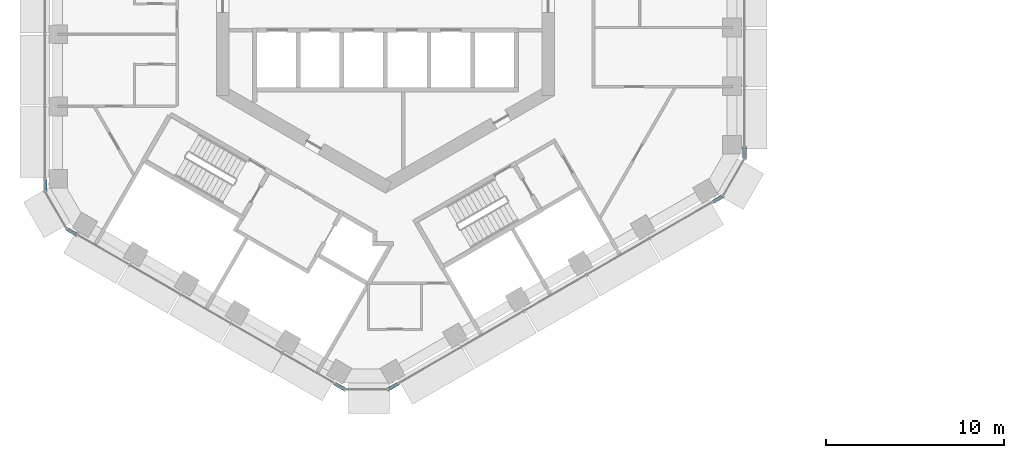
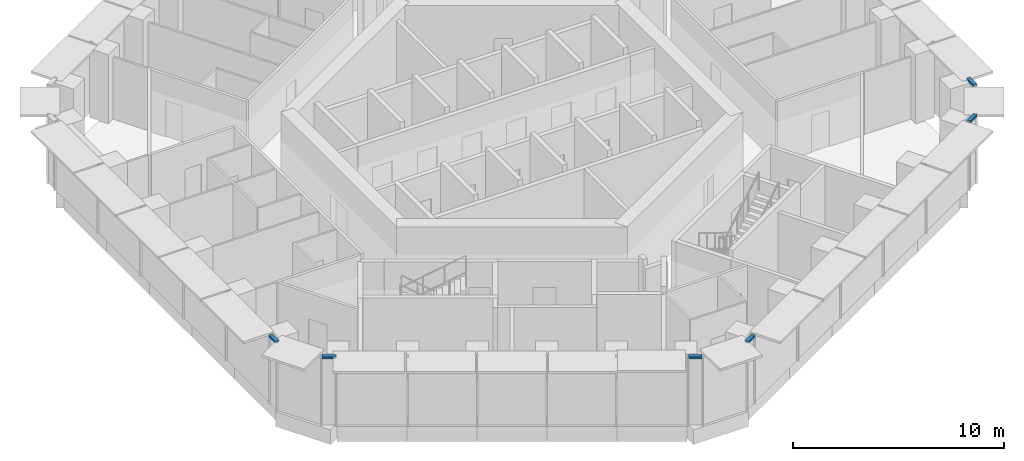
# One storey, part 10 of 28: 6 members, 3 elements without a shape of their own.
"""IFC4 building model written with IfcOpenShell, lengths in metres."""

from ifc_helpers import new_model, si_unit, direction, frame, origin, origin_2d, place, context, subcontext, project, spatial, rectangle, extrude, material, layer, layer_set, material_profile, profile_set, type_object, element, aggregate, save


model = new_model("IFC4")

# Units and contexts
model_context = context("Model", 3, precision=1e-05, world=origin(), true_north=direction((0.0, 1.0)))
body_context = subcontext(model_context, "Body", "Model", "MODEL_VIEW")
ifc_project = project(units=[si_unit("LENGTHUNIT", "METRE"), si_unit("AREAUNIT", "SQUARE_METRE"), si_unit("VOLUMEUNIT", "CUBIC_METRE"), si_unit("PLANEANGLEUNIT", "RADIAN"), si_unit("MASSUNIT", "GRAM", prefix="KILO")], contexts=[model_context])

# Site, building, storey
site_placement = place(None, origin())
site = spatial("IfcSite", under=ifc_project, at=site_placement, CompositionType="ELEMENT")
building_placement = place(site_placement, origin())
building = spatial("IfcBuilding", under=site, at=building_placement, Name="Ayvan Gate Tower", CompositionType="ELEMENT")
storey_placement = place(building_placement, frame((0.0, 0.0, 143.89990234375)))
storey = spatial("IfcBuildingStorey", under=building, at=storey_placement, Name="L38", CompositionType="ELEMENT", Elevation=143.89990234375)

# Curtain wall, members
ifc_material = material(Name="Bronze anodised aluminium", Category="aluminium")
ifc_layer = layer(ifc_material, 0.199951171875)
ifc_layer_set = layer_set([ifc_layer], Name="Bronze anodised aluminium")
curtain_wall_type = type_object("IfcCurtainWallType", Name="Stick curtain wall CW-6", PredefinedType="NOTDEFINED", material=ifc_layer_set)
curtain_wall_1_placement = place(storey_placement, origin())
curtain_wall_1 = element("IfcCurtainWall", 1, at=curtain_wall_1_placement, inside=storey, type_object=curtain_wall_type, Name="Stick curtain wall CW-6 L38", PredefinedType="NOTDEFINED")
ifc_material_profile = material_profile(ifc_material, rectangle(XDim=0.199951171875, YDim=0.1201171875, at=origin_2d()), Name="Stick curtain wall CW-6 transom 200 x 120")
ifc_profile_set = profile_set([ifc_material_profile], Name="Bronze anodised aluminium")
member_type = type_object("IfcMemberType", Name="Stick curtain wall CW-6 transom 200 x 120", PredefinedType="USERDEFINED", material=ifc_profile_set)
member_1_placement = place(storey_placement, frame((-19.124267578125, -10.222900390625, 3.940185546875), z_axis=(0.0, -1.0, 0.0), x_axis=(1.0, 0.0, 0.0)))
member_1 = element("IfcMember", 2, at=member_1_placement, type_object=member_type, Name="CW-6 transom 1", ObjectType="TRANSOM", PredefinedType="USERDEFINED", context=body_context, shape_type="SweptSolid", body=[
    extrude(rectangle(XDim=0.199951171875, YDim=0.1201171875, at=origin_2d()), origin(), (0.0, 0.0, 1.0), 0.625),
])
member_2_placement = place(storey_placement, frame((-17.895263671875, -12.976318359375, 3.940185546875), z_axis=(0.866022959057, -0.500004234368, 0.0), x_axis=(0.500004234368, 0.866022959057, 0.0)))
member_2 = element("IfcMember", 3, at=member_2_placement, type_object=member_type, Name="CW-6 transom 2", ObjectType="TRANSOM", PredefinedType="USERDEFINED", context=body_context, shape_type="SweptSolid", body=[
    extrude(rectangle(XDim=0.199951171875, YDim=0.1201171875, at=origin_2d()), origin(), (0.0, 0.0, 1.0), 0.625),
])
aggregate(curtain_wall_1, [member_1, member_2])

curtain_wall_2_placement = place(storey_placement, origin())
curtain_wall_2 = element("IfcCurtainWall", 4, at=curtain_wall_2_placement, inside=storey, type_object=curtain_wall_type, Name="Stick curtain wall CW-6 L38", PredefinedType="NOTDEFINED")
member_3_placement = place(storey_placement, frame((-2.83154296875, -21.673583984375, 3.940185546875), z_axis=(0.866022959057, -0.500004234368, 0.0), x_axis=(0.500004234368, 0.866022959057, 0.0)))
member_3 = element("IfcMember", 5, at=member_3_placement, type_object=member_type, Name="CW-6 transom 1", ObjectType="TRANSOM", PredefinedType="USERDEFINED", context=body_context, shape_type="SweptSolid", body=[
    extrude(rectangle(XDim=0.199951171875, YDim=0.1201171875, at=origin_2d()), origin(), (0.0, 0.0, 1.0), 0.625),
])
member_4_placement = place(storey_placement, frame((0.167724609375, -21.986083984375, 3.940185546875), z_axis=(0.866022959057, 0.500004234368, 0.0), x_axis=(-0.500004234368, 0.866022959057, 0.0)))
member_4 = element("IfcMember", 6, at=member_4_placement, type_object=member_type, Name="CW-6 transom 2", ObjectType="TRANSOM", PredefinedType="USERDEFINED", context=body_context, shape_type="SweptSolid", body=[
    extrude(rectangle(XDim=0.199951171875, YDim=0.1201171875, at=origin_2d()), origin(), (0.0, 0.0, 1.0), 0.625),
])
aggregate(curtain_wall_2, [member_3, member_4])

curtain_wall_3_placement = place(storey_placement, origin())
curtain_wall_3 = element("IfcCurtainWall", 7, at=curtain_wall_3_placement, inside=storey, type_object=curtain_wall_type, Name="Stick curtain wall CW-6 L38", PredefinedType="NOTDEFINED")
member_5_placement = place(storey_placement, frame((18.415283203125, -11.45068359375, 3.940185546875), z_axis=(0.866022959057, 0.500004234368, 0.0), x_axis=(-0.500004234368, 0.866022959057, 0.0)))
member_5 = element("IfcMember", 8, at=member_5_placement, type_object=member_type, Name="CW-6 transom 1", ObjectType="TRANSOM", PredefinedType="USERDEFINED", context=body_context, shape_type="SweptSolid", body=[
    extrude(rectangle(XDim=0.199951171875, YDim=0.1201171875, at=origin_2d()), origin(), (0.0, 0.0, 1.0), 0.625),
])
member_6_placement = place(storey_placement, frame((20.185546875, -9.009765625, 3.940185546875), z_axis=(0.0, 1.0, 0.0), x_axis=(-1.0, 0.0, 0.0)))
member_6 = element("IfcMember", 9, at=member_6_placement, type_object=member_type, Name="CW-6 transom 2", ObjectType="TRANSOM", PredefinedType="USERDEFINED", context=body_context, shape_type="SweptSolid", body=[
    extrude(rectangle(XDim=0.199951171875, YDim=0.1201171875, at=origin_2d()), origin(), (0.0, 0.0, 1.0), 0.625),
])
aggregate(curtain_wall_3, [member_5, member_6])

save(model, "model.ifc")
